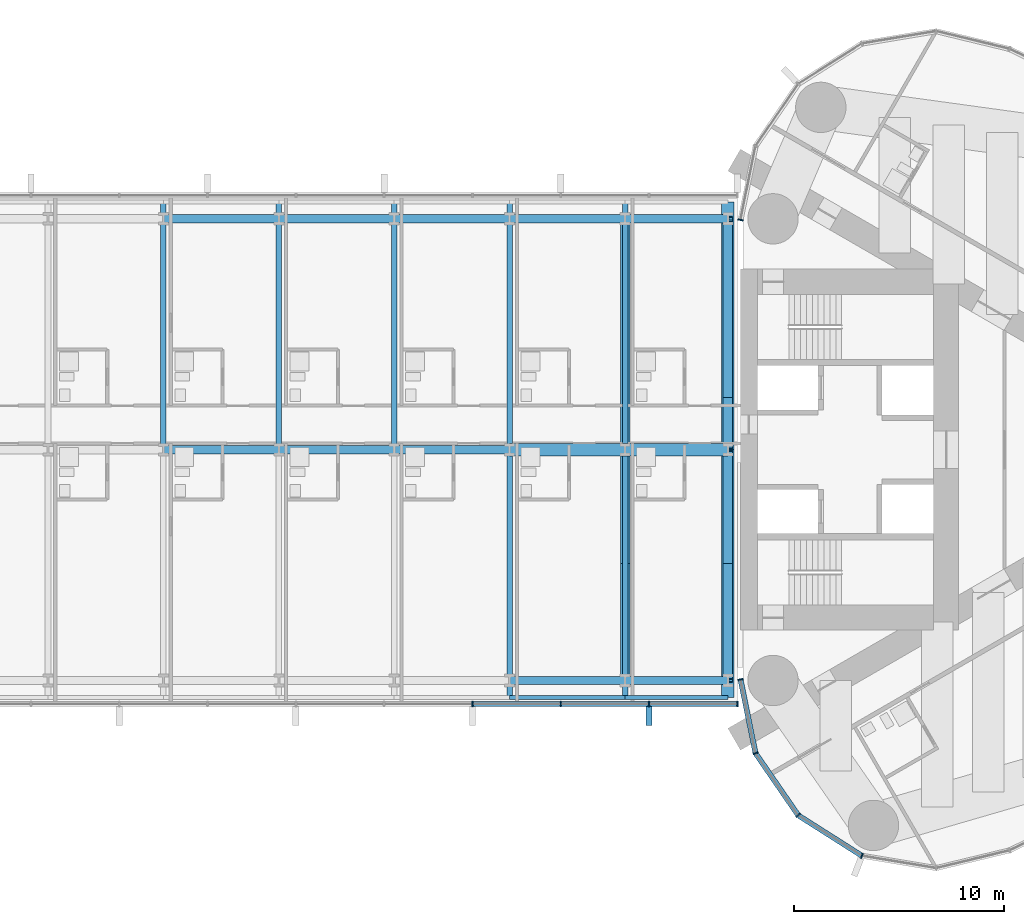
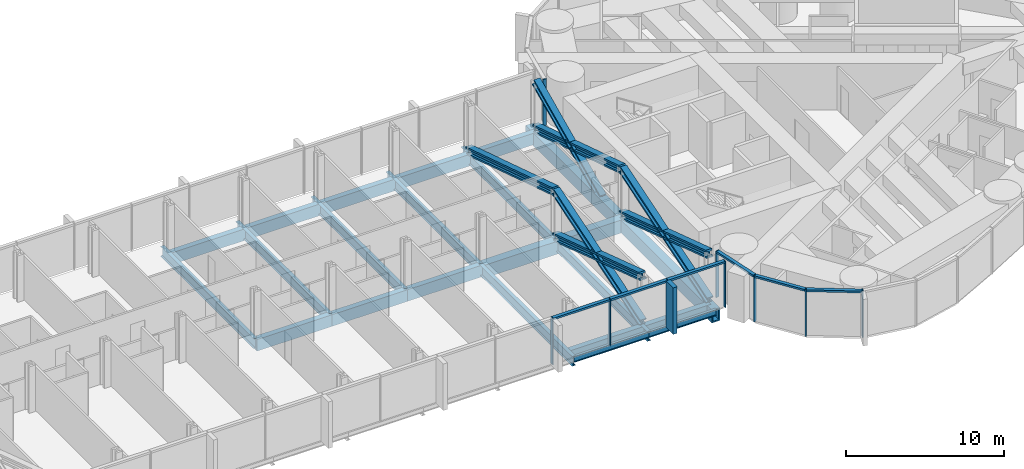
# One storey, part 7 of 23: 23 beams, 23 members, 2 elements without a shape of their own.
"""IFC4 building model written with IfcOpenShell, lengths in metres."""

from ifc_helpers import new_model, si_unit, direction, frame, origin, origin_2d, place, context, subcontext, project, spatial, rectangle, hollow_rectangle, i_section, extrude, material, material_profile, profile_set, type_object, element, aggregate, save


model = new_model("IFC4")

# Units and contexts
model_context = context("Model", 3, precision=1e-05, world=origin(), true_north=direction((0.0, 1.0)))
body_context = subcontext(model_context, "Body", "Model", "MODEL_VIEW")
ifc_project = project(units=[si_unit("LENGTHUNIT", "METRE"), si_unit("AREAUNIT", "SQUARE_METRE"), si_unit("VOLUMEUNIT", "CUBIC_METRE"), si_unit("PLANEANGLEUNIT", "RADIAN"), si_unit("MASSUNIT", "GRAM", prefix="KILO")], contexts=[model_context])

# Site, building, storey
site_placement = place(None, origin())
site = spatial("IfcSite", under=ifc_project, at=site_placement, CompositionType="ELEMENT")
building_placement = place(site_placement, origin())
building = spatial("IfcBuilding", under=site, at=building_placement, Name="Lancet Gate Hotel", CompositionType="ELEMENT")
storey_placement = place(building_placement, frame((0.0, 0.0, 218.89990234375)))
storey = spatial("IfcBuildingStorey", under=building, at=storey_placement, Name="L58", CompositionType="ELEMENT", Elevation=218.89990234375)

# Curtain wall, members
ifc_material_1 = material(Name="Aluminium curtain wall", Category="aluminium")
curtain_wall_type_1 = type_object("IfcCurtainWallType", Name="Tower unitised curtain wall", PredefinedType="USERDEFINED", material=ifc_material_1)
curtain_wall_1_placement = place(storey_placement, origin())
curtain_wall_1 = element("IfcCurtainWall", 1, at=curtain_wall_1_placement, inside=storey, type_object=curtain_wall_type_1, Name="T2 L58 curtain wall 1", ObjectType="UNITISED CURTAIN WALL", PredefinedType="USERDEFINED")
ifc_material_2 = material(Name="Aluminium mullion", Category="aluminium")
ifc_material_profile_1 = material_profile(ifc_material_2, rectangle(XDim=0.06494140625, YDim=0.25, at=origin_2d()), Name="MULLION 65x250")
ifc_profile_set_1 = profile_set([ifc_material_profile_1], Name="Aluminium mullion")
member_type_1 = type_object("IfcMemberType", Name="Aluminium mullion 65x250", PredefinedType="MULLION", material=ifc_profile_set_1)
member_1_placement = place(storey_placement, frame((27.5, -10.947998046875, 0.0), z_axis=(0.0, 0.0, 1.0), x_axis=(0.199533486841, -0.979891008036, 0.0)))
member_1 = element("IfcMember", 2, at=member_1_placement, type_object=member_type_1, Name="T2 L58 curtain wall 1 mullion 1", PredefinedType="MULLION", context=body_context, shape_type="SweptSolid", body=[
    extrude(rectangle(XDim=0.06494140625, YDim=0.25, at=origin_2d()), origin(), (0.0, 0.0, 1.0), 3.60009765625),
])
member_2_placement = place(storey_placement, frame((28.216552734375, -14.467529296875, 0.0), z_axis=(0.0, 0.0, 1.0), x_axis=(0.391042139098, -0.920372775265, 0.0)))
member_2 = element("IfcMember", 3, at=member_2_placement, type_object=member_type_1, Name="T2 L58 curtain wall 1 mullion 2", PredefinedType="MULLION", context=body_context, shape_type="SweptSolid", body=[
    extrude(rectangle(XDim=0.06494140625, YDim=0.25, at=origin_2d()), origin(), (0.0, 0.0, 1.0), 3.60009765625),
])
member_3_placement = place(storey_placement, frame((30.25244140625, -17.42626953125, 0.0), z_axis=(0.0, 0.0, 1.0), x_axis=(0.719809077627, -0.694172090886, 0.0)))
member_3 = element("IfcMember", 4, at=member_3_placement, type_object=member_type_1, Name="T2 L58 curtain wall 1 mullion 3", PredefinedType="MULLION", context=body_context, shape_type="SweptSolid", body=[
    extrude(rectangle(XDim=0.06494140625, YDim=0.25, at=origin_2d()), origin(), (0.0, 0.0, 1.0), 3.60009765625),
])
member_4_placement = place(storey_placement, frame((33.283203125, -19.353515625, 0.0), z_axis=(0.0, 0.0, 1.0), x_axis=(0.93394321776, -0.357421412343, 0.0)))
member_4 = element("IfcMember", 5, at=member_4_placement, type_object=member_type_1, Name="T2 L58 curtain wall 1 mullion 4", PredefinedType="MULLION", context=body_context, shape_type="SweptSolid", body=[
    extrude(rectangle(XDim=0.06494140625, YDim=0.25, at=origin_2d()), origin(), (0.0, 0.0, 1.0), 3.60009765625),
])
member_5_placement = place(storey_placement, frame((27.5, 10.947998046875, 0.0), z_axis=(0.0, 0.0, 1.0), x_axis=(-0.199533486841, -0.979891008036, 0.0)))
member_5 = element("IfcMember", 6, at=member_5_placement, type_object=member_type_1, Name="T2 L58 curtain wall 1 mullion 27", PredefinedType="MULLION", context=body_context, shape_type="SweptSolid", body=[
    extrude(rectangle(XDim=0.06494140625, YDim=0.25, at=origin_2d()), origin(), (0.0, 0.0, 1.0), 3.60009765625),
])

ifc_material_3 = material(Name="Aluminium curtain wall", Category="aluminium")
curtain_wall_type_2 = type_object("IfcCurtainWallType", Name="Bridge block curtain wall", PredefinedType="USERDEFINED", material=ifc_material_3)
curtain_wall_2_placement = place(storey_placement, origin())
curtain_wall_2 = element("IfcCurtainWall", 7, at=curtain_wall_2_placement, inside=storey, type_object=curtain_wall_type_2, Name="Bridge block L58 curtain wall S", ObjectType="UNITISED CURTAIN WALL", PredefinedType="USERDEFINED")
member_6_placement = place(storey_placement, frame((14.726806640625, -12.1201171875, 0.0), z_axis=(0.0, 0.0, 1.0), x_axis=(1.0, 0.0, 0.0)))
member_6 = element("IfcMember", 8, at=member_6_placement, type_object=member_type_1, Name="Bridge block L58 curtain wall S mullion 11", PredefinedType="MULLION", context=body_context, shape_type="SweptSolid", body=[
    extrude(rectangle(XDim=0.06494140625, YDim=0.25, at=origin_2d()), origin(), (0.0, 0.0, 1.0), 3.60009765625),
])
member_7_placement = place(storey_placement, frame((18.9345703125, -12.1201171875, 0.0), z_axis=(0.0, 0.0, 1.0), x_axis=(1.0, 0.0, 0.0)))
member_7 = element("IfcMember", 9, at=member_7_placement, type_object=member_type_1, Name="Bridge block L58 curtain wall S mullion 12", PredefinedType="MULLION", context=body_context, shape_type="SweptSolid", body=[
    extrude(rectangle(XDim=0.06494140625, YDim=0.25, at=origin_2d()), origin(), (0.0, 0.0, 1.0), 3.60009765625),
])
member_8_placement = place(storey_placement, frame((23.142333984375, -12.1201171875, 0.0), z_axis=(0.0, 0.0, 1.0), x_axis=(1.0, 0.0, 0.0)))
member_8 = element("IfcMember", 10, at=member_8_placement, type_object=member_type_1, Name="Bridge block L58 curtain wall S mullion 13", PredefinedType="MULLION", context=body_context, shape_type="SweptSolid", body=[
    extrude(rectangle(XDim=0.06494140625, YDim=0.25, at=origin_2d()), origin(), (0.0, 0.0, 1.0), 3.60009765625),
])
member_9_placement = place(storey_placement, frame((27.35009765625, -12.1201171875, 0.0), z_axis=(0.0, 0.0, 1.0), x_axis=(1.0, 0.0, 0.0)))
member_9 = element("IfcMember", 11, at=member_9_placement, type_object=member_type_1, Name="Bridge block L58 curtain wall S mullion 14", PredefinedType="MULLION", context=body_context, shape_type="SweptSolid", body=[
    extrude(rectangle(XDim=0.06494140625, YDim=0.25, at=origin_2d()), origin(), (0.0, 0.0, 1.0), 3.60009765625),
])

# Member
ifc_material_4 = material(Name="Aluminium transom", Category="aluminium")
ifc_material_profile_2 = material_profile(ifc_material_4, rectangle(XDim=0.25, YDim=0.14990234375, at=origin_2d()), Name="TRANSOM 250x150")
ifc_profile_set_2 = profile_set([ifc_material_profile_2], Name="Aluminium transom")
member_type_2 = type_object("IfcMemberType", Name="Aluminium transom 250x150", PredefinedType="USERDEFINED", material=ifc_profile_set_2)
member_10_placement = place(storey_placement, frame((27.506591796875, -10.97998046875, 3.525146484375), z_axis=(0.19952323725, -0.979893095086, 0.0), x_axis=(0.979893095086, 0.19952323725, 0.0)))
member_10 = element("IfcMember", 12, at=member_10_placement, type_object=member_type_2, Name="T2 L58 curtain wall 1 transom 1", ObjectType="TRANSOM", PredefinedType="USERDEFINED", context=body_context, shape_type="SweptSolid", body=[
    extrude(rectangle(XDim=0.25, YDim=0.14990234375, at=origin_2d()), origin(), (0.0, 0.0, 1.0), 3.5263671875),
])

member_11_placement = place(storey_placement, frame((28.235107421875, -14.494140625, 3.525146484375), z_axis=(0.566813768052, -0.82384595183, 0.0), x_axis=(0.82384595183, 0.566813768052, 0.0)))
member_11 = element("IfcMember", 13, at=member_11_placement, type_object=member_type_2, Name="T2 L58 curtain wall 1 transom 2", ObjectType="TRANSOM", PredefinedType="USERDEFINED", context=body_context, shape_type="SweptSolid", body=[
    extrude(rectangle(XDim=0.25, YDim=0.14990234375, at=origin_2d()), origin(), (0.0, 0.0, 1.0), 3.52685546875),
])

member_12_placement = place(storey_placement, frame((30.27978515625, -17.44384765625, 3.525146484375), z_axis=(0.84385811281, -0.536566384938, 0.0), x_axis=(0.536566384938, 0.84385811281, 0.0)))
member_12 = element("IfcMember", 14, at=member_12_placement, type_object=member_type_2, Name="T2 L58 curtain wall 1 transom 3", ObjectType="TRANSOM", PredefinedType="USERDEFINED", context=body_context, shape_type="SweptSolid", body=[
    extrude(rectangle(XDim=0.25, YDim=0.14990234375, at=origin_2d()), origin(), (0.0, 0.0, 1.0), 3.52685546875),
])

aggregate(curtain_wall_1, [member_1, member_2, member_3, member_4, member_5, member_10, member_11, member_12])

member_13_placement = place(storey_placement, frame((14.759521484375, -12.1201171875, 3.525146484375), z_axis=(1.0, 0.0, 0.0), x_axis=(0.0, 1.0, 0.0)))
member_13 = element("IfcMember", 15, at=member_13_placement, type_object=member_type_2, Name="Bridge block L58 curtain wall S transom 11", ObjectType="TRANSOM", PredefinedType="USERDEFINED", context=body_context, shape_type="SweptSolid", body=[
    extrude(rectangle(XDim=0.25, YDim=0.14990234375, at=origin_2d()), origin(), (0.0, 0.0, 1.0), 4.142578125),
])

member_14_placement = place(storey_placement, frame((18.967041015625, -12.1201171875, 3.525146484375), z_axis=(1.0, 0.0, 0.0), x_axis=(0.0, 1.0, 0.0)))
member_14 = element("IfcMember", 16, at=member_14_placement, type_object=member_type_2, Name="Bridge block L58 curtain wall S transom 12", ObjectType="TRANSOM", PredefinedType="USERDEFINED", context=body_context, shape_type="SweptSolid", body=[
    extrude(rectangle(XDim=0.25, YDim=0.14990234375, at=origin_2d()), origin(), (0.0, 0.0, 1.0), 4.142822265625),
])

member_15_placement = place(storey_placement, frame((23.1748046875, -12.1201171875, 3.525146484375), z_axis=(1.0, 0.0, 0.0), x_axis=(0.0, 1.0, 0.0)))
member_15 = element("IfcMember", 17, at=member_15_placement, type_object=member_type_2, Name="Bridge block L58 curtain wall S transom 13", ObjectType="TRANSOM", PredefinedType="USERDEFINED", context=body_context, shape_type="SweptSolid", body=[
    extrude(rectangle(XDim=0.25, YDim=0.14990234375, at=origin_2d()), origin(), (0.0, 0.0, 1.0), 4.142578125),
])

# Members
ifc_material_5 = material(Name="Steel S460", Category="steel")
ifc_material_profile_3 = material_profile(ifc_material_5, i_section(OverallWidth=0.4541015625, OverallDepth=0.569091796875, WebThickness=0.077880859375, FlangeThickness=0.125, FilletRadius=0.02001953125, at=origin_2d()), Name="HD 400x1086")
ifc_profile_set_3 = profile_set([ifc_material_profile_3], Name="Steel S460")
member_type_3 = type_object("IfcMemberType", Name="Block brace HD 400x1086", PredefinedType="BRACE", material=ifc_profile_set_3)
member_16_placement = place(storey_placement, frame((26.89990234375, -11.0, 0.0), z_axis=(0.0, 0.952925780013, 0.303203657277), x_axis=(-1.0, 0.0, 0.0)))
element("IfcMember", 18, at=member_16_placement, inside=storey, type_object=member_type_3, Name="Block brace EY11 L58", PredefinedType="BRACE", context=body_context, shape_type="SweptSolid", body=[
    extrude(i_section(OverallWidth=0.4541015625, OverallDepth=0.569091796875, WebThickness=0.077880859375, FlangeThickness=0.125, FilletRadius=0.02001953125, at=origin_2d()), origin(), (0.0, 0.0, 1.0), 11.54345703125),
])
member_17_placement = place(storey_placement, frame((26.89990234375, 0.0, 0.0), z_axis=(0.0, -0.950394634814, 0.311046681573), x_axis=(1.0, 0.0, 0.0)))
element("IfcMember", 19, at=member_17_placement, inside=storey, type_object=member_type_3, Name="Block brace EY12 L58", PredefinedType="BRACE", context=body_context, shape_type="SweptSolid", body=[
    extrude(i_section(OverallWidth=0.4541015625, OverallDepth=0.569091796875, WebThickness=0.077880859375, FlangeThickness=0.125, FilletRadius=0.02001953125, at=origin_2d()), origin(), (0.0, 0.0, 1.0), 11.57421875),
])
for number, where, z_axis, x_axis, name in (
    (20, (26.89990234375, 11.0, 0.0), (0.0, -0.952925780013, 0.303203657277), (1.0, 0.0, 0.0), "Block brace EY22 L58"),
    (21, (22.0, -11.0, 0.0), (0.0, 0.952925780013, 0.303203657277), (-1.0, 0.0, 0.0), "Block brace EI11 L58"),
):
    element("IfcMember", number, at=place(storey_placement, frame(where, z_axis=z_axis, x_axis=x_axis)), inside=storey, type_object=member_type_3, Name=name, PredefinedType="BRACE", context=body_context, shape_type="SweptSolid", body=[
        extrude(i_section(OverallWidth=0.4541015625, OverallDepth=0.569091796875, WebThickness=0.077880859375, FlangeThickness=0.125, FilletRadius=0.02001953125, at=origin_2d()), origin(), (0.0, 0.0, 1.0), 11.54345703125),
    ])
member_18_placement = place(storey_placement, frame((22.0, 0.0, 0.0), z_axis=(0.0, -0.950394634814, 0.311046681573), x_axis=(1.0, 0.0, 0.0)))
element("IfcMember", 22, at=member_18_placement, inside=storey, type_object=member_type_3, Name="Block brace EI12 L58", PredefinedType="BRACE", context=body_context, shape_type="SweptSolid", body=[
    extrude(i_section(OverallWidth=0.4541015625, OverallDepth=0.569091796875, WebThickness=0.077880859375, FlangeThickness=0.125, FilletRadius=0.02001953125, at=origin_2d()), origin(), (0.0, 0.0, 1.0), 11.57421875),
])
member_19_placement = place(storey_placement, frame((22.0, 11.0, 0.0), z_axis=(0.0, -0.952925780013, 0.303203657277), x_axis=(1.0, 0.0, 0.0)))
element("IfcMember", 23, at=member_19_placement, inside=storey, type_object=member_type_3, Name="Block brace EI22 L58", PredefinedType="BRACE", context=body_context, shape_type="SweptSolid", body=[
    extrude(i_section(OverallWidth=0.4541015625, OverallDepth=0.569091796875, WebThickness=0.077880859375, FlangeThickness=0.125, FilletRadius=0.02001953125, at=origin_2d()), origin(), (0.0, 0.0, 1.0), 11.54345703125),
])
member_20_placement = place(storey_placement, frame((26.89990234375, 2.60009765625, -0.2998046875), z_axis=(0.0, 0.907011125382, 0.421106659212), x_axis=(-1.0, 0.0, 0.0)))
element("IfcMember", 24, at=member_20_placement, inside=storey, type_object=member_type_3, Name="Block brace EY23 L58", PredefinedType="BRACE", context=body_context, shape_type="SweptSolid", body=[
    extrude(i_section(OverallWidth=0.4541015625, OverallDepth=0.569091796875, WebThickness=0.077880859375, FlangeThickness=0.125, FilletRadius=0.02001953125, at=origin_2d()), origin(), (0.0, 0.0, 1.0), 9.260986328125),
])

# Beams
ifc_material_6 = material(Name="Steel S355", Category="steel")
ifc_material_profile_4 = material_profile(ifc_material_6, i_section(OverallWidth=0.19140625, OverallDepth=0.4599609375, WebThickness=0.010009765625, FlangeThickness=0.01611328125, FilletRadius=0.01025390625, at=origin_2d()), Name="UKB 457x191x82")
ifc_profile_set_4 = profile_set([ifc_material_profile_4], Name="Steel S355")
beam_type_1 = type_object("IfcBeamType", Name="Block edge beam UKB 457x191x82", PredefinedType="SPANDREL", material=ifc_profile_set_4)
beam_1_placement = place(storey_placement, frame((16.5, -11.800048828125, -0.429931640625), z_axis=(1.0, 0.0, 0.0), x_axis=(0.0, 1.0, 0.0)))
element("IfcBeam", 25, at=beam_1_placement, inside=storey, type_object=beam_type_1, Name="Block edge beam S 8-9 L58", PredefinedType="SPANDREL", context=body_context, shape_type="SweptSolid", body=[
    extrude(i_section(OverallWidth=0.19140625, OverallDepth=0.4599609375, WebThickness=0.010009765625, FlangeThickness=0.01611328125, FilletRadius=0.01025390625, at=origin_2d()), origin(), (0.0, 0.0, 1.0), 5.5),
])
beam_2_placement = place(storey_placement, frame((22.0, -11.800048828125, -0.429931640625), z_axis=(1.0, 0.0, 0.0), x_axis=(0.0, 1.0, 0.0)))
element("IfcBeam", 26, at=beam_2_placement, inside=storey, type_object=beam_type_1, Name="Block edge beam S 9-10 L58", PredefinedType="SPANDREL", context=body_context, shape_type="SweptSolid", body=[
    extrude(i_section(OverallWidth=0.19140625, OverallDepth=0.4599609375, WebThickness=0.010009765625, FlangeThickness=0.01611328125, FilletRadius=0.01025390625, at=origin_2d()), origin(), (0.0, 0.0, 1.0), 4.89990234375),
])
ifc_material_7 = material(Name="Steel S460QL", Category="steel")
ifc_material_profile_5 = material_profile(ifc_material_7, hollow_rectangle(XDim=0.60009765625, YDim=1.0, WallThickness=0.10009765625, at=origin_2d()), Name="BOX 1000x600x100")
ifc_profile_set_5 = profile_set([ifc_material_profile_5], Name="Steel S460QL")
beam_type_2 = type_object("IfcBeamType", Name="Block end beam BOX 1000x600x100", PredefinedType="BEAM", material=ifc_profile_set_5)
for number, where, z_axis, x_axis, name in (
    (27, (26.89990234375, -11.800048828125, -0.699951171875), (0.0, 1.0, 0.0), (-1.0, 0.0, 0.0), "Block beam x10 S L58"),
    (28, (26.89990234375, 0.0, -0.699951171875), (0.0, 1.0, 0.0), (-1.0, 0.0, 0.0), "Block beam x10 N L58"),
):
    element("IfcBeam", number, at=place(storey_placement, frame(where, z_axis=z_axis, x_axis=x_axis)), inside=storey, type_object=beam_type_2, Name=name, PredefinedType="BEAM", context=body_context, shape_type="SweptSolid", body=[
        extrude(hollow_rectangle(XDim=0.60009765625, YDim=1.0, WallThickness=0.10009765625, at=origin_2d()), origin(), (0.0, 0.0, 1.0), 11.800048828125),
    ])
ifc_material_8 = material(Name="Steel S460QL", Category="steel")
ifc_material_profile_6 = material_profile(ifc_material_8, hollow_rectangle(XDim=0.60009765625, YDim=1.0, WallThickness=0.080078125, at=origin_2d()), Name="BOX 1000x600x80")
ifc_profile_set_6 = profile_set([ifc_material_profile_6], Name="Steel S460QL")
beam_type_3 = type_object("IfcBeamType", Name="Block primary beam BOX 1000x600x80", PredefinedType="BEAM", material=ifc_profile_set_6)
beam_3_placement = place(storey_placement, frame((16.5, 0.0, -0.699951171875), z_axis=(1.0, 0.0, 0.0), x_axis=(0.0, 1.0, 0.0)))
element("IfcBeam", 29, at=beam_3_placement, inside=storey, type_object=beam_type_3, Name="Block primary beam M 9 L58", PredefinedType="BEAM", context=body_context, shape_type="SweptSolid", body=[
    extrude(hollow_rectangle(XDim=0.60009765625, YDim=1.0, WallThickness=0.080078125, at=origin_2d()), origin(), (0.0, 0.0, 1.0), 5.5),
])
beam_4_placement = place(storey_placement, frame((22.0, 0.0, -0.699951171875), z_axis=(1.0, 0.0, 0.0), x_axis=(0.0, 1.0, 0.0)))
element("IfcBeam", 30, at=beam_4_placement, inside=storey, type_object=beam_type_3, Name="Block primary beam M 10 L58", PredefinedType="BEAM", context=body_context, shape_type="SweptSolid", body=[
    extrude(hollow_rectangle(XDim=0.60009765625, YDim=1.0, WallThickness=0.080078125, at=origin_2d()), origin(), (0.0, 0.0, 1.0), 4.89990234375),
])
ifc_material_9 = material(Name="Steel S355", Category="steel")
ifc_material_profile_7 = material_profile(ifc_material_9, hollow_rectangle(XDim=0.39990234375, YDim=0.89990234375, WallThickness=0.0400390625, at=origin_2d()), Name="BOX 900x400x40")
ifc_profile_set_7 = profile_set([ifc_material_profile_7], Name="Steel S355")
beam_type_4 = type_object("IfcBeamType", Name="Block primary beam BOX 900x400x40", PredefinedType="BEAM", material=ifc_profile_set_7)
beam_5_placement = place(storey_placement, frame((16.5, -11.0, -0.64990234375), z_axis=(1.0, 0.0, 0.0), x_axis=(0.0, 1.0, 0.0)))
element("IfcBeam", 31, at=beam_5_placement, inside=storey, type_object=beam_type_4, Name="Block primary beam S 9 L58", PredefinedType="BEAM", context=body_context, shape_type="SweptSolid", body=[
    extrude(hollow_rectangle(XDim=0.39990234375, YDim=0.89990234375, WallThickness=0.0400390625, at=origin_2d()), origin(), (0.0, 0.0, 1.0), 5.5),
])
beam_6_placement = place(storey_placement, frame((22.0, -11.0, -0.64990234375), z_axis=(1.0, 0.0, 0.0), x_axis=(0.0, 1.0, 0.0)))
element("IfcBeam", 32, at=beam_6_placement, inside=storey, type_object=beam_type_4, Name="Block primary beam S 10 L58", PredefinedType="BEAM", context=body_context, shape_type="SweptSolid", body=[
    extrude(hollow_rectangle(XDim=0.39990234375, YDim=0.89990234375, WallThickness=0.0400390625, at=origin_2d()), origin(), (0.0, 0.0, 1.0), 4.89990234375),
])
for number, where, z_axis, x_axis, name in (
    (33, (0.0, 0.0, -0.64990234375), (1.0, 0.0, 0.0), (0.0, 1.0, 0.0), "Block primary beam M 6 L58"),
    (34, (5.5, 0.0, -0.64990234375), (1.0, 0.0, 0.0), (0.0, 1.0, 0.0), "Block primary beam M 7 L58"),
    (35, (11.0, 0.0, -0.64990234375), (1.0, 0.0, 0.0), (0.0, 1.0, 0.0), "Block primary beam M 8 L58"),
    (36, (0.0, 11.0, -0.64990234375), (1.0, 0.0, 0.0), (0.0, 1.0, 0.0), "Block primary beam N 6 L58"),
    (37, (5.5, 11.0, -0.64990234375), (1.0, 0.0, 0.0), (0.0, 1.0, 0.0), "Block primary beam N 7 L58"),
    (38, (11.0, 11.0, -0.64990234375), (1.0, 0.0, 0.0), (0.0, 1.0, 0.0), "Block primary beam N 8 L58"),
    (39, (16.5, 11.0, -0.64990234375), (1.0, 0.0, 0.0), (0.0, 1.0, 0.0), "Block primary beam N 9 L58"),
):
    element("IfcBeam", number, at=place(storey_placement, frame(where, z_axis=z_axis, x_axis=x_axis)), inside=storey, type_object=beam_type_4, Name=name, PredefinedType="BEAM", context=body_context, shape_type="SweptSolid", body=[
        extrude(hollow_rectangle(XDim=0.39990234375, YDim=0.89990234375, WallThickness=0.0400390625, at=origin_2d()), origin(), (0.0, 0.0, 1.0), 5.5),
    ])
beam_7_placement = place(storey_placement, frame((22.0, 11.0, -0.64990234375), z_axis=(1.0, 0.0, 0.0), x_axis=(0.0, 1.0, 0.0)))
element("IfcBeam", 40, at=beam_7_placement, inside=storey, type_object=beam_type_4, Name="Block primary beam N 10 L58", PredefinedType="BEAM", context=body_context, shape_type="SweptSolid", body=[
    extrude(hollow_rectangle(XDim=0.39990234375, YDim=0.89990234375, WallThickness=0.0400390625, at=origin_2d()), origin(), (0.0, 0.0, 1.0), 4.89990234375),
])
ifc_material_10 = material(Name="Steel S355", Category="steel")
ifc_material_profile_8 = material_profile(ifc_material_10, i_section(OverallWidth=0.26806640625, OverallDepth=0.769775390625, WebThickness=0.015625, FlangeThickness=0.025390625, FilletRadius=0.0166015625, at=origin_2d()), Name="UKB 762x267x197")
ifc_profile_set_8 = profile_set([ifc_material_profile_8], Name="Steel S355")
beam_type_5 = type_object("IfcBeamType", Name="Block secondary beam UKB 762x267x197", PredefinedType="JOIST", material=ifc_profile_set_8)
for number, where, z_axis, x_axis, name in (
    (41, (0.0, 0.0, -0.584716796875), (0.0, 1.0, 0.0), (-1.0, 0.0, 0.0), "Block beam x5 N L58"),
    (42, (5.5, 0.0, -0.584716796875), (0.0, 1.0, 0.0), (-1.0, 0.0, 0.0), "Block beam x6 N L58"),
    (43, (11.0, 0.0, -0.584716796875), (0.0, 1.0, 0.0), (-1.0, 0.0, 0.0), "Block beam x7 N L58"),
    (44, (16.5, -11.800048828125, -0.584716796875), (0.0, 1.0, 0.0), (-1.0, 0.0, 0.0), "Block beam x8 S L58"),
    (45, (16.5, 0.0, -0.584716796875), (0.0, 1.0, 0.0), (-1.0, 0.0, 0.0), "Block beam x8 N L58"),
    (46, (22.0, -11.800048828125, -0.584716796875), (0.0, 1.0, 0.0), (-1.0, 0.0, 0.0), "Block beam x9 S L58"),
    (47, (22.0, 0.0, -0.584716796875), (0.0, 1.0, 0.0), (-1.0, 0.0, 0.0), "Block beam x9 N L58"),
):
    element("IfcBeam", number, at=place(storey_placement, frame(where, z_axis=z_axis, x_axis=x_axis)), inside=storey, type_object=beam_type_5, Name=name, PredefinedType="JOIST", context=body_context, shape_type="SweptSolid", body=[
        extrude(i_section(OverallWidth=0.26806640625, OverallDepth=0.769775390625, WebThickness=0.015625, FlangeThickness=0.025390625, FilletRadius=0.0166015625, at=origin_2d()), origin(), (0.0, 0.0, 1.0), 11.800048828125),
    ])

# Member
ifc_material_11 = material(Name="Precast concrete C50/60", Category="concrete")
ifc_material_profile_9 = material_profile(ifc_material_11, rectangle(XDim=0.300048828125, YDim=0.89990234375, at=origin_2d()), Name="FIN 300x900")
ifc_profile_set_9 = profile_set([ifc_material_profile_9], Name="Precast concrete C50/60")
member_type_4 = type_object("IfcMemberType", Name="Exposed concrete fin 300x900", PredefinedType="USERDEFINED", material=ifc_profile_set_9)
member_21_placement = place(storey_placement, frame((23.142333984375, -12.695068359375, 0.0), z_axis=(0.0, 0.0, 1.0), x_axis=(1.0, 0.0, 0.0)))
member_21 = element("IfcMember", 48, at=member_21_placement, type_object=member_type_4, Name="Bridge block L58 curtain wall S fin 13", ObjectType="FIN", PredefinedType="USERDEFINED", context=body_context, shape_type="SweptSolid", body=[
    extrude(rectangle(XDim=0.300048828125, YDim=0.89990234375, at=origin_2d()), origin(), (0.0, 0.0, 1.0), 3.60009765625),
])

aggregate(curtain_wall_2, [member_6, member_7, member_8, member_21, member_9, member_13, member_14, member_15])

save(model, "model.ifc")
